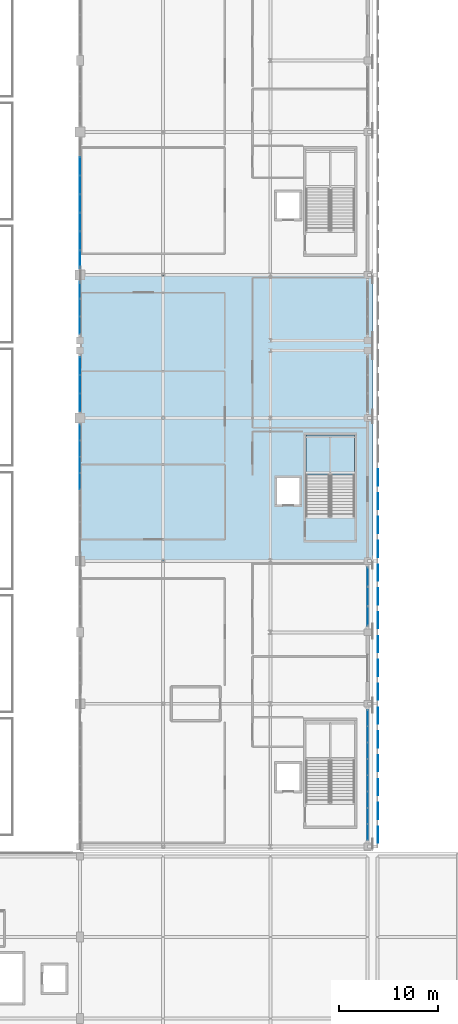
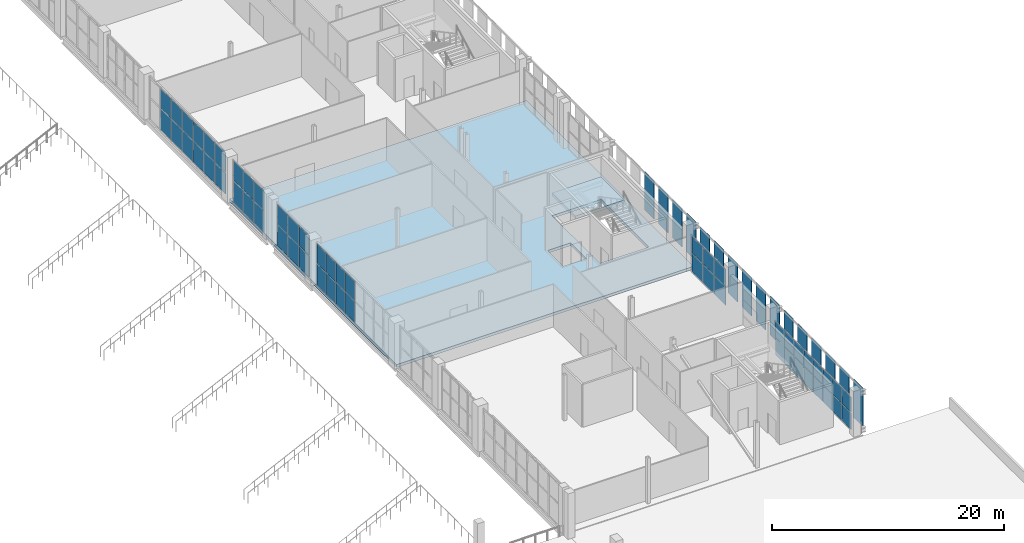
# One storey, part 58 of 104: 70 plates, 2 slabs, 7 elements without a shape of their own.
"""IFC4 building model written with IfcOpenShell, lengths in metres."""

import ifcopenshell
import ifcopenshell.guid

model = None  # the IFC model being written
_history = None  # IfcOwnerHistory: only IFC2X3 demands one
_inside = {}  # id of a spatial element -> (the spatial element, [elements in it])
_under = {}  # id of a project, library or spatial element -> (it, [spatial elements below it])
_declared = {}  # id of a project -> (the project, [libraries it declares])
_typed = {}  # id of a type object -> (the type object, [elements of that type])
_made_of = {}  # id of a material, layer set ... -> (it, [elements and type objects made of it])


def new_model(schema):
    """Start an empty IFC model of exactly this schema.

    Asked for "IFC4X3", IfcOpenShell would pick the latest addendum, in which some entities
    have other attributes; the version numbers below select the first issue.
    IFC2X3 requires an IfcOwnerHistory on every rooted entity: one is made here for all.
    """
    global model, _history
    if schema == "IFC4X3":
        model = ifcopenshell.file(schema_version=(4, 3, 0, 0))
    else:
        model = ifcopenshell.file(schema=schema)
    _inside.clear()
    _under.clear()
    _declared.clear()
    _typed.clear()
    _made_of.clear()
    _history = None
    if model.schema == "IFC2X3":
        org = make("IfcOrganization", Name="unknown")
        user = make(
            "IfcPersonAndOrganization",
            ThePerson=make("IfcPerson", FamilyName="unknown"),
            TheOrganization=org,
        )
        app = make(
            "IfcApplication",
            ApplicationDeveloper=org,
            Version="unknown",
            ApplicationFullName="unknown",
            ApplicationIdentifier="unknown",
        )
        _history = make(
            "IfcOwnerHistory",
            OwningUser=user,
            OwningApplication=app,
            ChangeAction="ADDED",
            CreationDate=0,
        )
    return model


def make(cls, **values):
    """One entity of the class cls with the attributes given. An attribute that is None is left unset."""
    return model.create_entity(
        cls, **{name: value for name, value in values.items() if value is not None}
    )


def rooted(cls, **values):
    """An entity with a GlobalId (a new one), such as an element, a storey or a relation."""
    return make(cls, GlobalId=ifcopenshell.guid.new(), OwnerHistory=_history, **values)


def si_unit(unit_type, name, prefix=None):
    """IfcSIUnit, for example si_unit("LENGTHUNIT", "METRE", prefix="MILLI")."""
    return make("IfcSIUnit", UnitType=unit_type, Prefix=prefix, Name=name)


def assignment(units):
    """IfcUnitAssignment: the units of a project."""
    return None if units is None else make("IfcUnitAssignment", Units=units)


def point(xyz):
    """IfcCartesianPoint."""
    return None if xyz is None else make("IfcCartesianPoint", Coordinates=xyz)


def direction(xyz):
    """IfcDirection."""
    return None if xyz is None else make("IfcDirection", DirectionRatios=xyz)


def frame(location, z_axis=None, x_axis=None):
    """IfcAxis2Placement3D, a coordinate frame: its origin and axes. An axis left out is left unset."""
    return make(
        "IfcAxis2Placement3D",
        Location=point(location),
        Axis=direction(z_axis),
        RefDirection=direction(x_axis),
    )


def frame_2d(location, x_axis=None):
    """IfcAxis2Placement2D, a coordinate frame in the plane: its origin and x axis."""
    return make(
        "IfcAxis2Placement2D", Location=point(location), RefDirection=direction(x_axis)
    )


def origin():
    """The frame at (0, 0, 0) with its axes left unset."""
    return frame((0.0, 0.0, 0.0))


def origin_2d():
    """The frame at (0, 0) in the plane with its x axis left unset."""
    return frame_2d((0.0, 0.0))


def place(relative_to, where):
    """IfcLocalPlacement: puts the frame where relative to a parent placement (None: the world)."""
    return make(
        "IfcLocalPlacement", PlacementRelTo=relative_to, RelativePlacement=where
    )


def context(
    kind, dimensions, precision=None, world=None, true_north=None, identifier=None
):
    """IfcGeometricRepresentationContext, for example the 3D "Model" context."""
    return make(
        "IfcGeometricRepresentationContext",
        ContextIdentifier=identifier,
        ContextType=kind,
        CoordinateSpaceDimension=dimensions,
        Precision=precision,
        WorldCoordinateSystem=world,
        TrueNorth=true_north,
    )


def subcontext(parent, identifier, kind, view, scale=None):
    """IfcGeometricRepresentationSubContext, for example "Body" below "Model"."""
    return make(
        "IfcGeometricRepresentationSubContext",
        ContextIdentifier=identifier,
        ContextType=kind,
        ParentContext=parent,
        TargetScale=scale,
        TargetView=view,
    )


def project(units=None, contexts=None):
    """IfcProject with its units and contexts."""
    return rooted(
        "IfcProject",
        Name="project",
        RepresentationContexts=contexts,
        UnitsInContext=assignment(units),
    )


def spatial(cls, under=None, at=None, **own):
    """A site, building, storey or space (cls), placed at a placement, below another one or the project."""
    s = rooted(cls, ObjectPlacement=at, **own)
    if under is not None:
        _under.setdefault(under.id(), (under, []))[1].append(s)
    return s


def polyline(points):
    """IfcPolyline through the points."""
    return make("IfcPolyline", Points=[point(p) for p in points])


def profile(cls, at=None, kind="AREA", **sizes):
    """A parametric profile (cls). Its sizes go by their IFC names, for example OverallWidth=200.0."""
    return make(cls, ProfileType=kind, Position=at, **sizes)


def rectangle(**sizes):
    """IfcRectangleProfileDef."""
    return profile("IfcRectangleProfileDef", **sizes)


def outline(outer, holes=None, kind="AREA"):
    """IfcArbitraryClosedProfileDef: a profile drawn as a closed curve; with holes, ...WithVoids."""
    if holes is None:
        return make("IfcArbitraryClosedProfileDef", ProfileType=kind, OuterCurve=outer)
    return make(
        "IfcArbitraryProfileDefWithVoids",
        ProfileType=kind,
        OuterCurve=outer,
        InnerCurves=holes,
    )


def extrude(swept, where, along, depth):
    """IfcExtrudedAreaSolid: the profile swept, set in the frame where, extruded along a direction by depth."""
    return make(
        "IfcExtrudedAreaSolid",
        SweptArea=swept,
        Position=where,
        ExtrudedDirection=direction(along),
        Depth=depth,
    )


def shape(context_of_items, identifier, shape_type, items):
    """IfcShapeRepresentation: the items that make up one representation, for example the "Body"."""
    return make(
        "IfcShapeRepresentation",
        ContextOfItems=context_of_items,
        RepresentationIdentifier=identifier,
        RepresentationType=shape_type,
        Items=items,
    )


def material(Name=None, Category=None):
    """IfcMaterial."""
    return make("IfcMaterial", Name=Name, Category=Category)


def layer(
    of_material, thickness, ventilated=None, Name=None, Category=None, Priority=None
):
    """IfcMaterialLayer: one layer of a wall or slab, of a material (None: an air gap)."""
    return make(
        "IfcMaterialLayer",
        Material=of_material,
        LayerThickness=thickness,
        IsVentilated=ventilated,
        Name=Name,
        Category=Category,
        Priority=Priority,
    )


def layer_set(layers, Name=None):
    """IfcMaterialLayerSet."""
    return make("IfcMaterialLayerSet", MaterialLayers=layers, LayerSetName=Name)


def made_of(thing, what):
    """Note that an element or type object is made of a material, layer set ...; save() writes the relation."""
    if what is not None:
        _made_of.setdefault(what.id(), (what, []))[1].append(thing)
    return thing


def type_object(cls, material=None, **own):
    """A type object (cls), such as IfcWallType, which elements share."""
    return made_of(rooted(cls, **own), material)


def element(
    cls,
    number,
    at=None,
    inside=None,
    cuts=None,
    type_object=None,
    material=None,
    context=None,
    identifier="Body",
    shape_type=None,
    held_by="IfcProductDefinitionShape",
    body=None,
    shapes=None,
    **own,
):
    """One element of the class cls, such as IfcWall. Its Tag is "e" and its number.

    at: its placement. inside: the storey or other place that contains it. cuts: it is an
    opening in that element (IfcRelVoidsElement). A single representation is given by context,
    identifier, shape_type and body (its items); several are given by shapes. held_by: the class
    of the entity that holds the representations. save() writes the other relations.
    """
    e = rooted(cls, Tag="e%d" % number, ObjectPlacement=at, **own)
    if body is not None:
        shapes = [shape(context, identifier, shape_type, body)]
    if shapes is not None:
        e.Representation = make(held_by, Representations=shapes)
    if inside is not None:
        _inside.setdefault(inside.id(), (inside, []))[1].append(e)
    if cuts is not None:
        rooted(
            "IfcRelVoidsElement", RelatingBuildingElement=cuts, RelatedOpeningElement=e
        )
    if type_object is not None:
        _typed.setdefault(type_object.id(), (type_object, []))[1].append(e)
    return made_of(e, material)


def aggregate(whole, parts):
    """IfcRelAggregates: a whole, such as a stair, and the parts it consists of."""
    return rooted("IfcRelAggregates", RelatingObject=whole, RelatedObjects=parts)


def save(model, path):
    """Write the relations noted so far, then the file.

    IfcRelAggregates (storeys below a building ...), IfcRelContainedInSpatialStructure (elements
    in a storey), IfcRelDefinesByType, IfcRelAssociatesMaterial and IfcRelDeclares: one each for
    every whole, place, type object, material and project.
    """
    for whole, parts in _under.values():
        aggregate(whole, parts)
    for where, things in _inside.values():
        rooted(
            "IfcRelContainedInSpatialStructure",
            RelatedElements=things,
            RelatingStructure=where,
        )
    for kind, things in _typed.values():
        rooted("IfcRelDefinesByType", RelatedObjects=things, RelatingType=kind)
    for what, things in _made_of.values():
        rooted("IfcRelAssociatesMaterial", RelatedObjects=things, RelatingMaterial=what)
    for by, libraries in _declared.values():
        rooted("IfcRelDeclares", RelatingContext=by, RelatedDefinitions=libraries)
    model.write(path)


model = new_model("IFC4")

# Units and contexts
model_context = context("Model", 3, precision=1e-05, world=origin(), true_north=direction((0.0, 1.0)))
body_context = subcontext(model_context, "Body", "Model", "MODEL_VIEW")
ifc_project = project(units=[si_unit("LENGTHUNIT", "METRE"), si_unit("AREAUNIT", "SQUARE_METRE"), si_unit("VOLUMEUNIT", "CUBIC_METRE"), si_unit("PLANEANGLEUNIT", "RADIAN"), si_unit("MASSUNIT", "GRAM", prefix="KILO")], contexts=[model_context])

# Site, building, storey
site_placement = place(None, origin())
site = spatial("IfcSite", under=ifc_project, at=site_placement, CompositionType="ELEMENT")
building_placement = place(site_placement, origin())
building = spatial("IfcBuilding", under=site, at=building_placement, Name="Koshinbarg Plaza Stadium", CompositionType="ELEMENT")
storey_placement = place(building_placement, frame((0.0, 0.0, 19.800048828125)))
storey = spatial("IfcBuildingStorey", under=building, at=storey_placement, Name="L04", CompositionType="ELEMENT", Elevation=19.800048828125)

# Curtain wall, plates
ifc_material_1 = material(Name="Thermally broken anodised aluminium and low-E double glazing", Category="aluminium")
curtain_wall_type_1 = type_object("IfcCurtainWallType", Name="CW-SYS-09", PredefinedType="NOTDEFINED", material=ifc_material_1)
curtain_wall_1_placement = place(storey_placement, origin())
curtain_wall_1 = element("IfcCurtainWall", 1, at=curtain_wall_1_placement, inside=storey, type_object=curtain_wall_type_1, Name="L04 unitised curtain wall CW-L04-104", PredefinedType="NOTDEFINED")
ifc_material_2 = material(Name="Solar-control low-E double glazing unit", Category="glass")
ifc_layer_1 = layer(ifc_material_2, 0.028076171875)
ifc_layer_set_1 = layer_set([ifc_layer_1], Name="Solar-control low-E double glazing unit")
plate_type_1 = type_object("IfcPlateType", Name="CW-PNL-28", PredefinedType="CURTAIN_PANEL", material=ifc_layer_set_1)
plate_1_placement = place(storey_placement, frame((218.39990234375, 38.4423828125, 0.06005859375), z_axis=(0.0, 0.0, 1.0), x_axis=(0.0, -1.0, 0.0)))
plate_1 = element("IfcPlate", 2, at=plate_1_placement, type_object=plate_type_1, Name="CW09 panel 1.1", PredefinedType="CURTAIN_PANEL", context=body_context, shape_type="SweptSolid", body=[
    extrude(rectangle(XDim=1.554931640625, YDim=0.028076171875, at=origin_2d()), origin(), (0.0, 0.0, 1.0), 1.771484375),
])
plate_2_placement = place(storey_placement, frame((218.39990234375, 38.4423828125, 1.8916015625), z_axis=(0.0, 0.0, 1.0), x_axis=(0.0, -1.0, 0.0)))
plate_2 = element("IfcPlate", 3, at=plate_2_placement, type_object=plate_type_1, Name="CW09 panel 1.2", PredefinedType="CURTAIN_PANEL", context=body_context, shape_type="SweptSolid", body=[
    extrude(rectangle(XDim=1.554931640625, YDim=0.028076171875, at=origin_2d()), origin(), (0.0, 0.0, 1.0), 1.62841796875),
])
plate_3_placement = place(storey_placement, frame((218.39990234375, 36.8125, 0.06005859375), z_axis=(0.0, 0.0, 1.0), x_axis=(0.0, -1.0, 0.0)))
plate_3 = element("IfcPlate", 4, at=plate_3_placement, type_object=plate_type_1, Name="CW09 panel 2.1", PredefinedType="CURTAIN_PANEL", context=body_context, shape_type="SweptSolid", body=[
    extrude(rectangle(XDim=1.5849609375, YDim=0.028076171875, at=origin_2d()), origin(), (0.0, 0.0, 1.0), 1.771484375),
])
plate_4_placement = place(storey_placement, frame((218.39990234375, 36.8125, 1.8916015625), z_axis=(0.0, 0.0, 1.0), x_axis=(0.0, -1.0, 0.0)))
plate_4 = element("IfcPlate", 5, at=plate_4_placement, type_object=plate_type_1, Name="CW09 panel 2.2", PredefinedType="CURTAIN_PANEL", context=body_context, shape_type="SweptSolid", body=[
    extrude(rectangle(XDim=1.5849609375, YDim=0.028076171875, at=origin_2d()), origin(), (0.0, 0.0, 1.0), 1.62841796875),
])
plate_5_placement = place(storey_placement, frame((218.39990234375, 35.16748046875, 0.06005859375), z_axis=(0.0, 0.0, 1.0), x_axis=(0.0, -1.0, 0.0)))
plate_5 = element("IfcPlate", 6, at=plate_5_placement, type_object=plate_type_1, Name="CW09 panel 3.1", PredefinedType="CURTAIN_PANEL", context=body_context, shape_type="SweptSolid", body=[
    extrude(rectangle(XDim=1.5849609375, YDim=0.028076171875, at=origin_2d()), origin(), (0.0, 0.0, 1.0), 1.771484375),
])
plate_6_placement = place(storey_placement, frame((218.39990234375, 35.16748046875, 1.8916015625), z_axis=(0.0, 0.0, 1.0), x_axis=(0.0, -1.0, 0.0)))
plate_6 = element("IfcPlate", 7, at=plate_6_placement, type_object=plate_type_1, Name="CW09 panel 3.2", PredefinedType="CURTAIN_PANEL", context=body_context, shape_type="SweptSolid", body=[
    extrude(rectangle(XDim=1.5849609375, YDim=0.028076171875, at=origin_2d()), origin(), (0.0, 0.0, 1.0), 1.62841796875),
])
plate_7_placement = place(storey_placement, frame((218.39990234375, 33.5224609375, 0.06005859375), z_axis=(0.0, 0.0, 1.0), x_axis=(0.0, -1.0, 0.0)))
plate_7 = element("IfcPlate", 8, at=plate_7_placement, type_object=plate_type_1, Name="CW09 panel 4.1", PredefinedType="CURTAIN_PANEL", context=body_context, shape_type="SweptSolid", body=[
    extrude(rectangle(XDim=1.5849609375, YDim=0.028076171875, at=origin_2d()), origin(), (0.0, 0.0, 1.0), 1.771484375),
])
plate_8_placement = place(storey_placement, frame((218.39990234375, 33.5224609375, 1.8916015625), z_axis=(0.0, 0.0, 1.0), x_axis=(0.0, -1.0, 0.0)))
plate_8 = element("IfcPlate", 9, at=plate_8_placement, type_object=plate_type_1, Name="CW09 panel 4.2", PredefinedType="CURTAIN_PANEL", context=body_context, shape_type="SweptSolid", body=[
    extrude(rectangle(XDim=1.5849609375, YDim=0.028076171875, at=origin_2d()), origin(), (0.0, 0.0, 1.0), 1.62841796875),
])
plate_9_placement = place(storey_placement, frame((218.39990234375, 31.87744140625, 0.06005859375), z_axis=(0.0, 0.0, 1.0), x_axis=(0.0, -1.0, 0.0)))
plate_9 = element("IfcPlate", 10, at=plate_9_placement, type_object=plate_type_1, Name="CW09 panel 5.1", PredefinedType="CURTAIN_PANEL", context=body_context, shape_type="SweptSolid", body=[
    extrude(rectangle(XDim=1.5849609375, YDim=0.028076171875, at=origin_2d()), origin(), (0.0, 0.0, 1.0), 1.771484375),
])
plate_10_placement = place(storey_placement, frame((218.39990234375, 31.87744140625, 1.8916015625), z_axis=(0.0, 0.0, 1.0), x_axis=(0.0, -1.0, 0.0)))
plate_10 = element("IfcPlate", 11, at=plate_10_placement, type_object=plate_type_1, Name="CW09 panel 5.2", PredefinedType="CURTAIN_PANEL", context=body_context, shape_type="SweptSolid", body=[
    extrude(rectangle(XDim=1.5849609375, YDim=0.028076171875, at=origin_2d()), origin(), (0.0, 0.0, 1.0), 1.62841796875),
])
plate_11_placement = place(storey_placement, frame((218.39990234375, 30.232421875, 0.06005859375), z_axis=(0.0, 0.0, 1.0), x_axis=(0.0, -1.0, 0.0)))
plate_11 = element("IfcPlate", 12, at=plate_11_placement, type_object=plate_type_1, Name="CW09 panel 6.1", PredefinedType="CURTAIN_PANEL", context=body_context, shape_type="SweptSolid", body=[
    extrude(rectangle(XDim=1.5849609375, YDim=0.028076171875, at=origin_2d()), origin(), (0.0, 0.0, 1.0), 1.771484375),
])
plate_12_placement = place(storey_placement, frame((218.39990234375, 30.232421875, 1.8916015625), z_axis=(0.0, 0.0, 1.0), x_axis=(0.0, -1.0, 0.0)))
plate_12 = element("IfcPlate", 13, at=plate_12_placement, type_object=plate_type_1, Name="CW09 panel 6.2", PredefinedType="CURTAIN_PANEL", context=body_context, shape_type="SweptSolid", body=[
    extrude(rectangle(XDim=1.5849609375, YDim=0.028076171875, at=origin_2d()), origin(), (0.0, 0.0, 1.0), 1.62841796875),
])
plate_13_placement = place(storey_placement, frame((218.39990234375, 28.58740234375, 0.06005859375), z_axis=(0.0, 0.0, 1.0), x_axis=(0.0, -1.0, 0.0)))
plate_13 = element("IfcPlate", 14, at=plate_13_placement, type_object=plate_type_1, Name="CW09 panel 7.1", PredefinedType="CURTAIN_PANEL", context=body_context, shape_type="SweptSolid", body=[
    extrude(rectangle(XDim=1.5849609375, YDim=0.028076171875, at=origin_2d()), origin(), (0.0, 0.0, 1.0), 1.771484375),
])
plate_14_placement = place(storey_placement, frame((218.39990234375, 28.58740234375, 1.8916015625), z_axis=(0.0, 0.0, 1.0), x_axis=(0.0, -1.0, 0.0)))
plate_14 = element("IfcPlate", 15, at=plate_14_placement, type_object=plate_type_1, Name="CW09 panel 7.2", PredefinedType="CURTAIN_PANEL", context=body_context, shape_type="SweptSolid", body=[
    extrude(rectangle(XDim=1.5849609375, YDim=0.028076171875, at=origin_2d()), origin(), (0.0, 0.0, 1.0), 1.62841796875),
])
plate_15_placement = place(storey_placement, frame((218.39990234375, 26.95751953125, 0.06005859375), z_axis=(0.0, 0.0, 1.0), x_axis=(0.0, -1.0, 0.0)))
plate_15 = element("IfcPlate", 16, at=plate_15_placement, type_object=plate_type_1, Name="CW09 panel 8.1", PredefinedType="CURTAIN_PANEL", context=body_context, shape_type="SweptSolid", body=[
    extrude(rectangle(XDim=1.554931640625, YDim=0.028076171875, at=origin_2d()), origin(), (0.0, 0.0, 1.0), 1.771484375),
])
plate_16_placement = place(storey_placement, frame((218.39990234375, 26.95751953125, 1.8916015625), z_axis=(0.0, 0.0, 1.0), x_axis=(0.0, -1.0, 0.0)))
plate_16 = element("IfcPlate", 17, at=plate_16_placement, type_object=plate_type_1, Name="CW09 panel 8.2", PredefinedType="CURTAIN_PANEL", context=body_context, shape_type="SweptSolid", body=[
    extrude(rectangle(XDim=1.554931640625, YDim=0.028076171875, at=origin_2d()), origin(), (0.0, 0.0, 1.0), 1.62841796875),
])
aggregate(curtain_wall_1, [plate_1, plate_2, plate_3, plate_4, plate_5, plate_6, plate_7, plate_8, plate_9, plate_10, plate_11, plate_12, plate_13, plate_14, plate_15, plate_16])

curtain_wall_type_2 = type_object("IfcCurtainWallType", Name="CW-SYS-13", PredefinedType="NOTDEFINED", material=ifc_material_1)
curtain_wall_2_placement = place(storey_placement, origin())
curtain_wall_2 = element("IfcCurtainWall", 18, at=curtain_wall_2_placement, inside=storey, type_object=curtain_wall_type_2, Name="L04 unitised curtain wall CW-L04-124", PredefinedType="NOTDEFINED")
plate_17_placement = place(storey_placement, frame((189.39990234375, 62.322509765625, 0.06005859375), z_axis=(0.0, 0.0, 1.0), x_axis=(0.0, 1.0, 0.0)))
plate_17 = element("IfcPlate", 19, at=plate_17_placement, type_object=plate_type_1, Name="CW13 panel 5.1", PredefinedType="CURTAIN_PANEL", context=body_context, shape_type="SweptSolid", body=[
    extrude(rectangle(XDim=1.5849609375, YDim=0.028076171875, at=origin_2d()), origin(), (0.0, 0.0, 1.0), 2.239501953125),
])
plate_18_placement = place(storey_placement, frame((189.39990234375, 62.322509765625, 2.359375), z_axis=(0.0, 0.0, 1.0), x_axis=(0.0, 1.0, 0.0)))
plate_18 = element("IfcPlate", 20, at=plate_18_placement, type_object=plate_type_1, Name="CW13 panel 5.2", PredefinedType="CURTAIN_PANEL", context=body_context, shape_type="SweptSolid", body=[
    extrude(rectangle(XDim=1.5849609375, YDim=0.028076171875, at=origin_2d()), origin(), (0.0, 0.0, 1.0), 2.060302734375),
])
plate_19_placement = place(storey_placement, frame((189.39990234375, 63.967529296875, 0.06005859375), z_axis=(0.0, 0.0, 1.0), x_axis=(0.0, 1.0, 0.0)))
plate_19 = element("IfcPlate", 21, at=plate_19_placement, type_object=plate_type_1, Name="CW13 panel 6.1", PredefinedType="CURTAIN_PANEL", context=body_context, shape_type="SweptSolid", body=[
    extrude(rectangle(XDim=1.5849609375, YDim=0.028076171875, at=origin_2d()), origin(), (0.0, 0.0, 1.0), 2.239501953125),
])
plate_20_placement = place(storey_placement, frame((189.39990234375, 63.967529296875, 2.359375), z_axis=(0.0, 0.0, 1.0), x_axis=(0.0, 1.0, 0.0)))
plate_20 = element("IfcPlate", 22, at=plate_20_placement, type_object=plate_type_1, Name="CW13 panel 6.2", PredefinedType="CURTAIN_PANEL", context=body_context, shape_type="SweptSolid", body=[
    extrude(rectangle(XDim=1.5849609375, YDim=0.028076171875, at=origin_2d()), origin(), (0.0, 0.0, 1.0), 2.060302734375),
])
plate_21_placement = place(storey_placement, frame((189.39990234375, 65.612548828125, 0.06005859375), z_axis=(0.0, 0.0, 1.0), x_axis=(0.0, 1.0, 0.0)))
plate_21 = element("IfcPlate", 23, at=plate_21_placement, type_object=plate_type_1, Name="CW13 panel 7.1", PredefinedType="CURTAIN_PANEL", context=body_context, shape_type="SweptSolid", body=[
    extrude(rectangle(XDim=1.5849609375, YDim=0.028076171875, at=origin_2d()), origin(), (0.0, 0.0, 1.0), 2.239501953125),
])
plate_22_placement = place(storey_placement, frame((189.39990234375, 65.612548828125, 2.359375), z_axis=(0.0, 0.0, 1.0), x_axis=(0.0, 1.0, 0.0)))
plate_22 = element("IfcPlate", 24, at=plate_22_placement, type_object=plate_type_1, Name="CW13 panel 7.2", PredefinedType="CURTAIN_PANEL", context=body_context, shape_type="SweptSolid", body=[
    extrude(rectangle(XDim=1.5849609375, YDim=0.028076171875, at=origin_2d()), origin(), (0.0, 0.0, 1.0), 2.060302734375),
])
plate_23_placement = place(storey_placement, frame((189.39990234375, 67.242431640625, 0.06005859375), z_axis=(0.0, 0.0, 1.0), x_axis=(0.0, 1.0, 0.0)))
plate_23 = element("IfcPlate", 25, at=plate_23_placement, type_object=plate_type_1, Name="CW13 panel 8.1", PredefinedType="CURTAIN_PANEL", context=body_context, shape_type="SweptSolid", body=[
    extrude(rectangle(XDim=1.554931640625, YDim=0.028076171875, at=origin_2d()), origin(), (0.0, 0.0, 1.0), 2.239501953125),
])
plate_24_placement = place(storey_placement, frame((189.39990234375, 67.242431640625, 2.359375), z_axis=(0.0, 0.0, 1.0), x_axis=(0.0, 1.0, 0.0)))
plate_24 = element("IfcPlate", 26, at=plate_24_placement, type_object=plate_type_1, Name="CW13 panel 8.2", PredefinedType="CURTAIN_PANEL", context=body_context, shape_type="SweptSolid", body=[
    extrude(rectangle(XDim=1.554931640625, YDim=0.028076171875, at=origin_2d()), origin(), (0.0, 0.0, 1.0), 2.060302734375),
])
aggregate(curtain_wall_2, [plate_17, plate_18, plate_19, plate_20, plate_21, plate_22, plate_23, plate_24])

curtain_wall_type_3 = type_object("IfcCurtainWallType", Name="CW-SYS-15", PredefinedType="NOTDEFINED", material=ifc_material_1)
curtain_wall_3_placement = place(storey_placement, origin())
curtain_wall_3 = element("IfcCurtainWall", 27, at=curtain_wall_3_placement, inside=storey, type_object=curtain_wall_type_3, Name="L04 unitised curtain wall CW-L04-126", PredefinedType="NOTDEFINED")
plate_25_placement = place(storey_placement, frame((189.39990234375, 78.0283203125, 0.06005859375), z_axis=(0.0, 0.0, 1.0), x_axis=(0.0, 1.0, 0.0)))
plate_25 = element("IfcPlate", 28, at=plate_25_placement, type_object=plate_type_1, Name="CW15 panel 1.1", PredefinedType="CURTAIN_PANEL", context=body_context, shape_type="SweptSolid", body=[
    extrude(rectangle(XDim=1.69677734375, YDim=0.028076171875, at=origin_2d()), origin(), (0.0, 0.0, 1.0), 2.239501953125),
])
plate_26_placement = place(storey_placement, frame((189.39990234375, 78.0283203125, 2.359375), z_axis=(0.0, 0.0, 1.0), x_axis=(0.0, 1.0, 0.0)))
plate_26 = element("IfcPlate", 29, at=plate_26_placement, type_object=plate_type_1, Name="CW15 panel 1.2", PredefinedType="CURTAIN_PANEL", context=body_context, shape_type="SweptSolid", body=[
    extrude(rectangle(XDim=1.69677734375, YDim=0.028076171875, at=origin_2d()), origin(), (0.0, 0.0, 1.0), 2.060302734375),
])
plate_27_placement = place(storey_placement, frame((189.39990234375, 79.800048828125, 0.06005859375), z_axis=(0.0, 0.0, 1.0), x_axis=(0.0, 1.0, 0.0)))
plate_27 = element("IfcPlate", 30, at=plate_27_placement, type_object=plate_type_1, Name="CW15 panel 2.1", PredefinedType="CURTAIN_PANEL", context=body_context, shape_type="SweptSolid", body=[
    extrude(rectangle(XDim=1.7265625, YDim=0.028076171875, at=origin_2d()), origin(), (0.0, 0.0, 1.0), 2.239501953125),
])
plate_28_placement = place(storey_placement, frame((189.39990234375, 79.800048828125, 2.359375), z_axis=(0.0, 0.0, 1.0), x_axis=(0.0, 1.0, 0.0)))
plate_28 = element("IfcPlate", 31, at=plate_28_placement, type_object=plate_type_1, Name="CW15 panel 2.2", PredefinedType="CURTAIN_PANEL", context=body_context, shape_type="SweptSolid", body=[
    extrude(rectangle(XDim=1.7265625, YDim=0.028076171875, at=origin_2d()), origin(), (0.0, 0.0, 1.0), 2.060302734375),
])
plate_29_placement = place(storey_placement, frame((189.39990234375, 81.57177734375, 0.06005859375), z_axis=(0.0, 0.0, 1.0), x_axis=(0.0, 1.0, 0.0)))
plate_29 = element("IfcPlate", 32, at=plate_29_placement, type_object=plate_type_1, Name="CW15 panel 3.1", PredefinedType="CURTAIN_PANEL", context=body_context, shape_type="SweptSolid", body=[
    extrude(rectangle(XDim=1.69677734375, YDim=0.028076171875, at=origin_2d()), origin(), (0.0, 0.0, 1.0), 2.239501953125),
])
plate_30_placement = place(storey_placement, frame((189.39990234375, 81.57177734375, 2.359375), z_axis=(0.0, 0.0, 1.0), x_axis=(0.0, 1.0, 0.0)))
plate_30 = element("IfcPlate", 33, at=plate_30_placement, type_object=plate_type_1, Name="CW15 panel 3.2", PredefinedType="CURTAIN_PANEL", context=body_context, shape_type="SweptSolid", body=[
    extrude(rectangle(XDim=1.69677734375, YDim=0.028076171875, at=origin_2d()), origin(), (0.0, 0.0, 1.0), 2.060302734375),
])
aggregate(curtain_wall_3, [plate_25, plate_26, plate_27, plate_28, plate_29, plate_30])

curtain_wall_type_4 = type_object("IfcCurtainWallType", Name="CW-SYS-08", PredefinedType="NOTDEFINED", material=ifc_material_1)
curtain_wall_4_placement = place(storey_placement, origin())
curtain_wall_4 = element("IfcCurtainWall", 34, at=curtain_wall_4_placement, inside=storey, type_object=curtain_wall_type_4, Name="L04 unitised curtain wall CW-L04-103", PredefinedType="NOTDEFINED")
ifc_material_3 = material(Name="Acoustic solar-control double glazing unit", Category="glass")
ifc_layer_2 = layer(ifc_material_3, 0.031982421875)
ifc_layer_set_2 = layer_set([ifc_layer_2], Name="Acoustic solar-control double glazing unit")
plate_type_2 = type_object("IfcPlateType", Name="CW-PNL-32", PredefinedType="CURTAIN_PANEL", material=ifc_layer_set_2)
plate_31_placement = place(storey_placement, frame((218.39990234375, 52.671630859375, 0.06005859375), z_axis=(0.0, 0.0, 1.0), x_axis=(0.0, -1.0, 0.0)))
plate_31 = element("IfcPlate", 35, at=plate_31_placement, type_object=plate_type_2, Name="CW08 panel 1.1", PredefinedType="CURTAIN_PANEL", context=body_context, shape_type="SweptSolid", body=[
    extrude(rectangle(XDim=1.896728515625, YDim=0.031982421875, at=origin_2d()), origin(), (0.0, 0.0, 1.0), 1.927490234375),
])
plate_32_placement = place(storey_placement, frame((218.39990234375, 52.671630859375, 2.047607421875), z_axis=(0.0, 0.0, 1.0), x_axis=(0.0, -1.0, 0.0)))
plate_32 = element("IfcPlate", 36, at=plate_32_placement, type_object=plate_type_2, Name="CW08 panel 1.2", PredefinedType="CURTAIN_PANEL", context=body_context, shape_type="SweptSolid", body=[
    extrude(rectangle(XDim=1.896728515625, YDim=0.031982421875, at=origin_2d()), origin(), (0.0, 0.0, 1.0), 1.7724609375),
])
plate_33_placement = place(storey_placement, frame((218.39990234375, 50.699951171875, 0.06005859375), z_axis=(0.0, 0.0, 1.0), x_axis=(0.0, -1.0, 0.0)))
plate_33 = element("IfcPlate", 37, at=plate_33_placement, type_object=plate_type_2, Name="CW08 panel 2.1", PredefinedType="CURTAIN_PANEL", context=body_context, shape_type="SweptSolid", body=[
    extrude(rectangle(XDim=1.9267578125, YDim=0.031982421875, at=origin_2d()), origin(), (0.0, 0.0, 1.0), 1.927490234375),
])
plate_34_placement = place(storey_placement, frame((218.39990234375, 50.699951171875, 2.047607421875), z_axis=(0.0, 0.0, 1.0), x_axis=(0.0, -1.0, 0.0)))
plate_34 = element("IfcPlate", 38, at=plate_34_placement, type_object=plate_type_2, Name="CW08 panel 2.2", PredefinedType="CURTAIN_PANEL", context=body_context, shape_type="SweptSolid", body=[
    extrude(rectangle(XDim=1.9267578125, YDim=0.031982421875, at=origin_2d()), origin(), (0.0, 0.0, 1.0), 1.7724609375),
])
plate_35_placement = place(storey_placement, frame((218.39990234375, 48.728271484375, 0.06005859375), z_axis=(0.0, 0.0, 1.0), x_axis=(0.0, -1.0, 0.0)))
plate_35 = element("IfcPlate", 39, at=plate_35_placement, type_object=plate_type_2, Name="CW08 panel 3.1", PredefinedType="CURTAIN_PANEL", context=body_context, shape_type="SweptSolid", body=[
    extrude(rectangle(XDim=1.896728515625, YDim=0.031982421875, at=origin_2d()), origin(), (0.0, 0.0, 1.0), 1.927490234375),
])
plate_36_placement = place(storey_placement, frame((218.39990234375, 48.728271484375, 2.047607421875), z_axis=(0.0, 0.0, 1.0), x_axis=(0.0, -1.0, 0.0)))
plate_36 = element("IfcPlate", 40, at=plate_36_placement, type_object=plate_type_2, Name="CW08 panel 3.2", PredefinedType="CURTAIN_PANEL", context=body_context, shape_type="SweptSolid", body=[
    extrude(rectangle(XDim=1.896728515625, YDim=0.031982421875, at=origin_2d()), origin(), (0.0, 0.0, 1.0), 1.7724609375),
])
aggregate(curtain_wall_4, [plate_31, plate_32, plate_33, plate_34, plate_35, plate_36])

curtain_wall_type_5 = type_object("IfcCurtainWallType", Name="CW-SYS-14", PredefinedType="NOTDEFINED", material=ifc_material_1)
curtain_wall_5_placement = place(storey_placement, origin())
curtain_wall_5 = element("IfcCurtainWall", 41, at=curtain_wall_5_placement, inside=storey, type_object=curtain_wall_type_5, Name="L04 unitised curtain wall CW-L04-125", PredefinedType="NOTDEFINED")
plate_37_placement = place(storey_placement, frame((189.39990234375, 70.26171875, 0.06005859375), z_axis=(0.0, 0.0, 1.0), x_axis=(0.0, 1.0, 0.0)))
plate_37 = element("IfcPlate", 42, at=plate_37_placement, type_object=plate_type_2, Name="CW14 panel 1.1", PredefinedType="CURTAIN_PANEL", context=body_context, shape_type="SweptSolid", body=[
    extrude(rectangle(XDim=1.763427734375, YDim=0.031982421875, at=origin_2d()), origin(), (0.0, 0.0, 1.0), 2.239501953125),
])
plate_38_placement = place(storey_placement, frame((189.39990234375, 70.26171875, 2.359375), z_axis=(0.0, 0.0, 1.0), x_axis=(0.0, 1.0, 0.0)))
plate_38 = element("IfcPlate", 43, at=plate_38_placement, type_object=plate_type_2, Name="CW14 panel 1.2", PredefinedType="CURTAIN_PANEL", context=body_context, shape_type="SweptSolid", body=[
    extrude(rectangle(XDim=1.763427734375, YDim=0.031982421875, at=origin_2d()), origin(), (0.0, 0.0, 1.0), 2.060302734375),
])
plate_39_placement = place(storey_placement, frame((189.39990234375, 72.10009765625, 0.06005859375), z_axis=(0.0, 0.0, 1.0), x_axis=(0.0, 1.0, 0.0)))
plate_39 = element("IfcPlate", 44, at=plate_39_placement, type_object=plate_type_2, Name="CW14 panel 2.1", PredefinedType="CURTAIN_PANEL", context=body_context, shape_type="SweptSolid", body=[
    extrude(rectangle(XDim=1.793212890625, YDim=0.031982421875, at=origin_2d()), origin(), (0.0, 0.0, 1.0), 2.239501953125),
])
plate_40_placement = place(storey_placement, frame((189.39990234375, 72.10009765625, 2.359375), z_axis=(0.0, 0.0, 1.0), x_axis=(0.0, 1.0, 0.0)))
plate_40 = element("IfcPlate", 45, at=plate_40_placement, type_object=plate_type_2, Name="CW14 panel 2.2", PredefinedType="CURTAIN_PANEL", context=body_context, shape_type="SweptSolid", body=[
    extrude(rectangle(XDim=1.793212890625, YDim=0.031982421875, at=origin_2d()), origin(), (0.0, 0.0, 1.0), 2.060302734375),
])
plate_41_placement = place(storey_placement, frame((189.39990234375, 73.938232421875, 0.06005859375), z_axis=(0.0, 0.0, 1.0), x_axis=(0.0, 1.0, 0.0)))
plate_41 = element("IfcPlate", 46, at=plate_41_placement, type_object=plate_type_2, Name="CW14 panel 3.1", PredefinedType="CURTAIN_PANEL", context=body_context, shape_type="SweptSolid", body=[
    extrude(rectangle(XDim=1.763427734375, YDim=0.031982421875, at=origin_2d()), origin(), (0.0, 0.0, 1.0), 2.239501953125),
])
plate_42_placement = place(storey_placement, frame((189.39990234375, 73.938232421875, 2.359375), z_axis=(0.0, 0.0, 1.0), x_axis=(0.0, 1.0, 0.0)))
plate_42 = element("IfcPlate", 47, at=plate_42_placement, type_object=plate_type_2, Name="CW14 panel 3.2", PredefinedType="CURTAIN_PANEL", context=body_context, shape_type="SweptSolid", body=[
    extrude(rectangle(XDim=1.763427734375, YDim=0.031982421875, at=origin_2d()), origin(), (0.0, 0.0, 1.0), 2.060302734375),
])
aggregate(curtain_wall_5, [plate_37, plate_38, plate_39, plate_40, plate_41, plate_42])

curtain_wall_type_6 = type_object("IfcCurtainWallType", Name="CW-SYS-16", PredefinedType="NOTDEFINED", material=ifc_material_1)
curtain_wall_6_placement = place(storey_placement, origin())
curtain_wall_6 = element("IfcCurtainWall", 48, at=curtain_wall_6_placement, inside=storey, type_object=curtain_wall_type_6, Name="L04 unitised curtain wall CW-L04-127", PredefinedType="NOTDEFINED")
plate_43_placement = place(storey_placement, frame((189.39990234375, 84.675048828125, 0.06005859375), z_axis=(0.0, 0.0, 1.0), x_axis=(0.0, 1.0, 0.0)))
plate_43 = element("IfcPlate", 49, at=plate_43_placement, type_object=plate_type_2, Name="CW16 panel 1.1", PredefinedType="CURTAIN_PANEL", context=body_context, shape_type="SweptSolid", body=[
    extrude(rectangle(XDim=1.7900390625, YDim=0.031982421875, at=origin_2d()), origin(), (0.0, 0.0, 1.0), 2.239501953125),
])
plate_44_placement = place(storey_placement, frame((189.39990234375, 84.675048828125, 2.359375), z_axis=(0.0, 0.0, 1.0), x_axis=(0.0, 1.0, 0.0)))
plate_44 = element("IfcPlate", 50, at=plate_44_placement, type_object=plate_type_2, Name="CW16 panel 1.2", PredefinedType="CURTAIN_PANEL", context=body_context, shape_type="SweptSolid", body=[
    extrude(rectangle(XDim=1.7900390625, YDim=0.031982421875, at=origin_2d()), origin(), (0.0, 0.0, 1.0), 2.060302734375),
])
plate_45_placement = place(storey_placement, frame((189.39990234375, 86.5400390625, 0.06005859375), z_axis=(0.0, 0.0, 1.0), x_axis=(0.0, 1.0, 0.0)))
plate_45 = element("IfcPlate", 51, at=plate_45_placement, type_object=plate_type_2, Name="CW16 panel 2.1", PredefinedType="CURTAIN_PANEL", context=body_context, shape_type="SweptSolid", body=[
    extrude(rectangle(XDim=1.820068359375, YDim=0.031982421875, at=origin_2d()), origin(), (0.0, 0.0, 1.0), 2.239501953125),
])
plate_46_placement = place(storey_placement, frame((189.39990234375, 86.5400390625, 2.359375), z_axis=(0.0, 0.0, 1.0), x_axis=(0.0, 1.0, 0.0)))
plate_46 = element("IfcPlate", 52, at=plate_46_placement, type_object=plate_type_2, Name="CW16 panel 2.2", PredefinedType="CURTAIN_PANEL", context=body_context, shape_type="SweptSolid", body=[
    extrude(rectangle(XDim=1.820068359375, YDim=0.031982421875, at=origin_2d()), origin(), (0.0, 0.0, 1.0), 2.060302734375),
])
plate_47_placement = place(storey_placement, frame((189.39990234375, 88.419921875, 0.06005859375), z_axis=(0.0, 0.0, 1.0), x_axis=(0.0, 1.0, 0.0)))
plate_47 = element("IfcPlate", 53, at=plate_47_placement, type_object=plate_type_2, Name="CW16 panel 3.1", PredefinedType="CURTAIN_PANEL", context=body_context, shape_type="SweptSolid", body=[
    extrude(rectangle(XDim=1.820068359375, YDim=0.031982421875, at=origin_2d()), origin(), (0.0, 0.0, 1.0), 2.239501953125),
])
plate_48_placement = place(storey_placement, frame((189.39990234375, 88.419921875, 2.359375), z_axis=(0.0, 0.0, 1.0), x_axis=(0.0, 1.0, 0.0)))
plate_48 = element("IfcPlate", 54, at=plate_48_placement, type_object=plate_type_2, Name="CW16 panel 3.2", PredefinedType="CURTAIN_PANEL", context=body_context, shape_type="SweptSolid", body=[
    extrude(rectangle(XDim=1.820068359375, YDim=0.031982421875, at=origin_2d()), origin(), (0.0, 0.0, 1.0), 2.060302734375),
])
plate_49_placement = place(storey_placement, frame((189.39990234375, 90.300048828125, 0.06005859375), z_axis=(0.0, 0.0, 1.0), x_axis=(0.0, 1.0, 0.0)))
plate_49 = element("IfcPlate", 55, at=plate_49_placement, type_object=plate_type_2, Name="CW16 panel 4.1", PredefinedType="CURTAIN_PANEL", context=body_context, shape_type="SweptSolid", body=[
    extrude(rectangle(XDim=1.820068359375, YDim=0.031982421875, at=origin_2d()), origin(), (0.0, 0.0, 1.0), 2.239501953125),
])
plate_50_placement = place(storey_placement, frame((189.39990234375, 90.300048828125, 2.359375), z_axis=(0.0, 0.0, 1.0), x_axis=(0.0, 1.0, 0.0)))
plate_50 = element("IfcPlate", 56, at=plate_50_placement, type_object=plate_type_2, Name="CW16 panel 4.2", PredefinedType="CURTAIN_PANEL", context=body_context, shape_type="SweptSolid", body=[
    extrude(rectangle(XDim=1.820068359375, YDim=0.031982421875, at=origin_2d()), origin(), (0.0, 0.0, 1.0), 2.060302734375),
])
plate_51_placement = place(storey_placement, frame((189.39990234375, 92.179931640625, 0.06005859375), z_axis=(0.0, 0.0, 1.0), x_axis=(0.0, 1.0, 0.0)))
plate_51 = element("IfcPlate", 57, at=plate_51_placement, type_object=plate_type_2, Name="CW16 panel 5.1", PredefinedType="CURTAIN_PANEL", context=body_context, shape_type="SweptSolid", body=[
    extrude(rectangle(XDim=1.820068359375, YDim=0.031982421875, at=origin_2d()), origin(), (0.0, 0.0, 1.0), 2.239501953125),
])
plate_52_placement = place(storey_placement, frame((189.39990234375, 92.179931640625, 2.359375), z_axis=(0.0, 0.0, 1.0), x_axis=(0.0, 1.0, 0.0)))
plate_52 = element("IfcPlate", 58, at=plate_52_placement, type_object=plate_type_2, Name="CW16 panel 5.2", PredefinedType="CURTAIN_PANEL", context=body_context, shape_type="SweptSolid", body=[
    extrude(rectangle(XDim=1.820068359375, YDim=0.031982421875, at=origin_2d()), origin(), (0.0, 0.0, 1.0), 2.060302734375),
])
plate_53_placement = place(storey_placement, frame((189.39990234375, 94.06005859375, 0.06005859375), z_axis=(0.0, 0.0, 1.0), x_axis=(0.0, 1.0, 0.0)))
plate_53 = element("IfcPlate", 59, at=plate_53_placement, type_object=plate_type_2, Name="CW16 panel 6.1", PredefinedType="CURTAIN_PANEL", context=body_context, shape_type="SweptSolid", body=[
    extrude(rectangle(XDim=1.820068359375, YDim=0.031982421875, at=origin_2d()), origin(), (0.0, 0.0, 1.0), 2.239501953125),
])
plate_54_placement = place(storey_placement, frame((189.39990234375, 94.06005859375, 2.359375), z_axis=(0.0, 0.0, 1.0), x_axis=(0.0, 1.0, 0.0)))
plate_54 = element("IfcPlate", 60, at=plate_54_placement, type_object=plate_type_2, Name="CW16 panel 6.2", PredefinedType="CURTAIN_PANEL", context=body_context, shape_type="SweptSolid", body=[
    extrude(rectangle(XDim=1.820068359375, YDim=0.031982421875, at=origin_2d()), origin(), (0.0, 0.0, 1.0), 2.060302734375),
])
aggregate(curtain_wall_6, [plate_43, plate_44, plate_45, plate_46, plate_47, plate_48, plate_49, plate_50, plate_51, plate_52, plate_53, plate_54])

# Plates
ifc_material_4 = material(Name="Off-white mineral-coated perforated aluminium screen panel", Category="aluminium")
ifc_layer_3 = layer(ifc_material_4, 0.050048828125)
ifc_layer_set_3 = layer_set([ifc_layer_3], Name="Off-white mineral-coated perforated aluminium screen panel")
plate_type_3 = type_object("IfcPlateType", Name="PLT-SCR-50", PredefinedType="USERDEFINED", material=ifc_layer_set_3)
for number, where, z_axis, x_axis, name in (
    (61, (219.419921875, 29.10009765625, 0.19970703125), (0.0, 0.0, 1.0), (1.0, 0.0, 0.0), "L04 off-white leaf-pierced outer screen panel 212"),
    (62, (219.419921875, 33.89990234375, 0.19970703125), (0.0, 0.0, 1.0), (1.0, 0.0, 0.0), "L04 off-white leaf-pierced outer screen panel 214"),
    (63, (219.419921875, 38.699951171875, 0.19970703125), (0.0, 0.0, 1.0), (1.0, 0.0, 0.0), "L04 off-white leaf-pierced outer screen panel 216"),
    (64, (219.419921875, 43.5, 0.19970703125), (0.0, 0.0, 1.0), (1.0, 0.0, 0.0), "L04 off-white leaf-pierced outer screen panel 218"),
    (65, (219.419921875, 48.300048828125, 0.19970703125), (0.0, 0.0, 1.0), (1.0, 0.0, 0.0), "L04 off-white leaf-pierced outer screen panel 220"),
    (66, (219.419921875, 53.10009765625, 0.19970703125), (0.0, 0.0, 1.0), (1.0, 0.0, 0.0), "L04 off-white leaf-pierced outer screen panel 222"),
    (67, (219.419921875, 57.89990234375, 0.19970703125), (0.0, 0.0, 1.0), (1.0, 0.0, 0.0), "L04 off-white leaf-pierced outer screen panel 224"),
    (68, (219.419921875, 62.699951171875, 0.19970703125), (0.0, 0.0, 1.0), (1.0, 0.0, 0.0), "L04 off-white leaf-pierced outer screen panel 226"),
):
    element("IfcPlate", number, at=place(storey_placement, frame(where, z_axis=z_axis, x_axis=x_axis)), inside=storey, type_object=plate_type_3, Name=name, ObjectType="SCREEN PANEL", PredefinedType="USERDEFINED", context=body_context, shape_type="SweptSolid", body=[
        extrude(rectangle(XDim=0.050048828125, YDim=1.632080078125, at=origin_2d()), origin(), (0.0, 0.0, 1.0), 4.030029296875),
    ])
ifc_material_5 = material(Name="Off-white mineral-coated leaf-aperture GRC screen panel")
ifc_layer_4 = layer(ifc_material_5, 0.06005859375)
ifc_layer_set_4 = layer_set([ifc_layer_4], Name="Off-white mineral-coated leaf-aperture GRC screen panel")
plate_type_4 = type_object("IfcPlateType", Name="PLT-SCR-60", PredefinedType="USERDEFINED", material=ifc_layer_set_4)
for number, where, z_axis, x_axis, name in (
    (69, (219.425048828125, 26.699951171875, 0.19970703125), (0.0, 0.0, 1.0), (1.0, 0.0, 0.0), "L04 off-white leaf-pierced outer screen panel 211"),
    (70, (219.425048828125, 31.5, 0.19970703125), (0.0, 0.0, 1.0), (1.0, 0.0, 0.0), "L04 off-white leaf-pierced outer screen panel 213"),
    (71, (219.425048828125, 36.300048828125, 0.19970703125), (0.0, 0.0, 1.0), (1.0, 0.0, 0.0), "L04 off-white leaf-pierced outer screen panel 215"),
    (72, (219.425048828125, 41.10009765625, 0.19970703125), (0.0, 0.0, 1.0), (1.0, 0.0, 0.0), "L04 off-white leaf-pierced outer screen panel 217"),
    (73, (219.425048828125, 45.89990234375, 0.19970703125), (0.0, 0.0, 1.0), (1.0, 0.0, 0.0), "L04 off-white leaf-pierced outer screen panel 219"),
    (74, (219.425048828125, 50.699951171875, 0.19970703125), (0.0, 0.0, 1.0), (1.0, 0.0, 0.0), "L04 off-white leaf-pierced outer screen panel 221"),
    (75, (219.425048828125, 55.5, 0.19970703125), (0.0, 0.0, 1.0), (1.0, 0.0, 0.0), "L04 off-white leaf-pierced outer screen panel 223"),
    (76, (219.425048828125, 60.300048828125, 0.19970703125), (0.0, 0.0, 1.0), (1.0, 0.0, 0.0), "L04 off-white leaf-pierced outer screen panel 225"),
):
    element("IfcPlate", number, at=place(storey_placement, frame(where, z_axis=z_axis, x_axis=x_axis)), inside=storey, type_object=plate_type_4, Name=name, ObjectType="SCREEN PANEL", PredefinedType="USERDEFINED", context=body_context, shape_type="SweptSolid", body=[
        extrude(rectangle(XDim=0.06005859375, YDim=1.632080078125, at=origin_2d()), origin(), (0.0, 0.0, 1.0), 4.030029296875),
    ])

# Slab
ifc_material_6 = material(Name="Concrete C35/45", Category="concrete")
ifc_layer_5 = layer(ifc_material_6, 0.300048828125)
ifc_layer_set_5 = layer_set([ifc_layer_5], Name="Concrete C35/45")
slab_type_1 = type_object("IfcSlabType", Name="SL-FLR-300", PredefinedType="FLOOR", material=ifc_layer_set_5)
slab_1_placement = place(storey_placement, frame((0.0, 0.0, -0.300048828125)))
element("IfcSlab", 77, at=slab_1_placement, inside=storey, type_object=slab_type_1, Name="L04 V2 structural slab 6", PredefinedType="FLOOR", context=body_context, shape_type="SweptSolid", body=[
    extrude(outline(polyline([(189.39990234375, 54.300048828125), (218.955078125, 54.300048828125), (218.955078125, 83.10009765625), (189.39990234375, 83.10009765625), (189.39990234375, 54.300048828125)]), holes=[polyline([(217.070068359375, 58.760009765625), (217.070068359375, 67.0), (212.199951171875, 67.0), (212.199951171875, 58.760009765625), (217.070068359375, 58.760009765625)]), polyline([(209.25, 59.949951171875), (211.550048828125, 59.949951171875), (211.550048828125, 62.64990234375), (209.25, 62.64990234375), (209.25, 59.949951171875)])]), origin(), (0.0, 0.0, 1.0), 0.300048828125),
])

# Stair, slab
stair_type = type_object("IfcStairType", Name="ST-CORE-48", PredefinedType="HALF_TURN_STAIR", material=ifc_material_6)
stair_placement = place(storey_placement, origin())
stair = element("IfcStair", 78, at=stair_placement, inside=storey, type_object=stair_type, Name="L04 Protected Exit Stair C08", PredefinedType="HALF_TURN_STAIR")
ifc_layer_6 = layer(ifc_material_6, 0.320068359375)
ifc_layer_set_6 = layer_set([ifc_layer_6], Name="Concrete C35/45")
slab_type_2 = type_object("IfcSlabType", Name="SL-STLAND-280", PredefinedType="LANDING", material=ifc_layer_set_6)
slab_2_placement = place(storey_placement, frame((0.0, 0.0, 2.079833984375)))
slab_2 = element("IfcSlab", 79, at=slab_2_placement, type_object=slab_type_2, Name="L04 Protected Exit Stair C08 landing 046", PredefinedType="LANDING", context=body_context, shape_type="SweptSolid", body=[
    extrude(outline(polyline([(217.070068359375, 62.9599609375), (217.070068359375, 67.0), (212.199951171875, 67.0), (212.199951171875, 62.9599609375), (217.070068359375, 62.9599609375)])), origin(), (0.0, 0.0, 1.0), 0.320068359375),
])
aggregate(stair, [slab_2])

save(model, "model.ifc")
